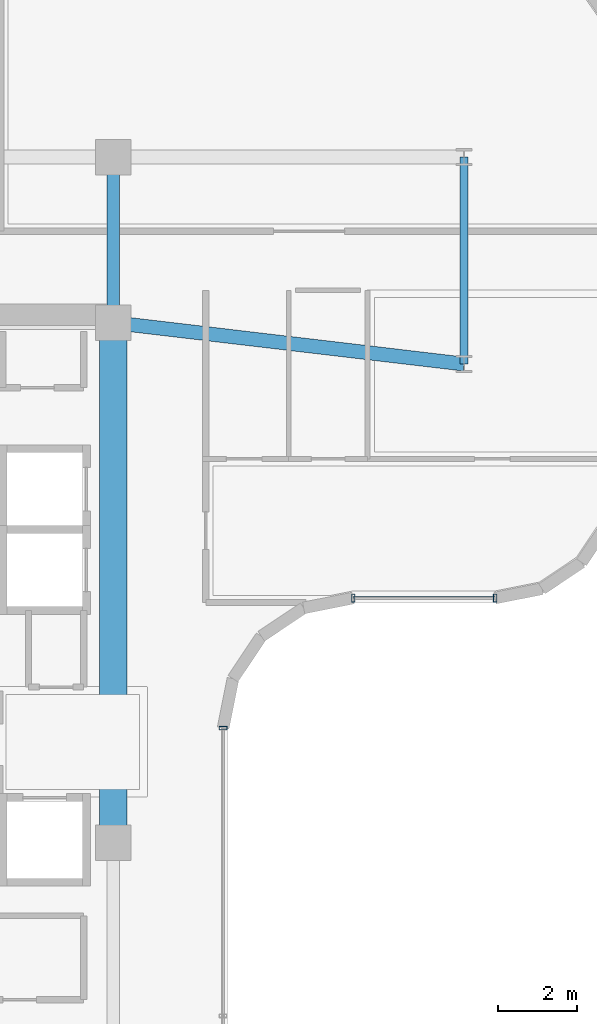
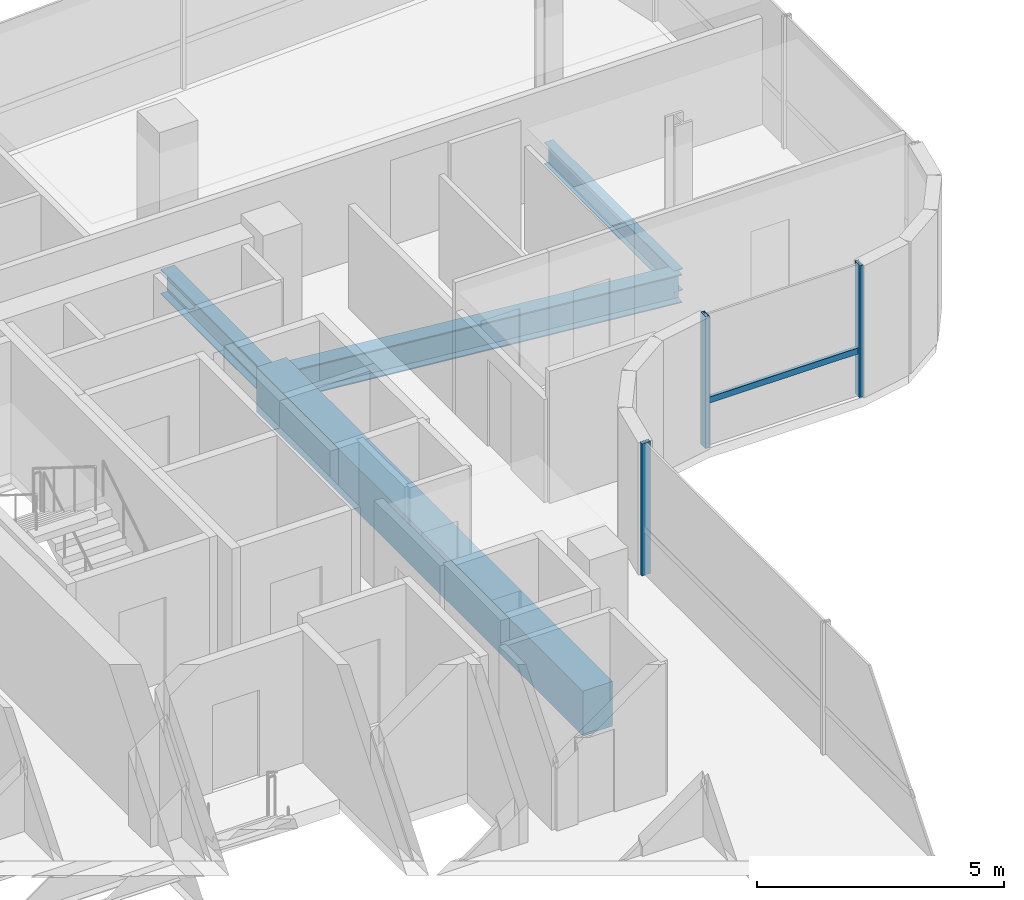
# One storey, part 9 of 22: 4 beams, 4 members, 2 elements without a shape of their own.
"""IFC4 building model written with IfcOpenShell, lengths in metres."""

from ifc_helpers import new_model, si_unit, direction, frame, origin, origin_2d, place, context, subcontext, project, spatial, rectangle, hollow_rectangle, i_section, extrude, source, transform, mapped, material, material_profile, profile_set, type_object, element, aggregate, save


model = new_model("IFC4")

# Units and contexts
model_context = context("Model", 3, precision=1e-05, world=origin(), true_north=direction((0.0, 1.0)))
body_context = subcontext(model_context, "Body", "Model", "MODEL_VIEW")
ifc_project = project(units=[si_unit("LENGTHUNIT", "METRE"), si_unit("AREAUNIT", "SQUARE_METRE"), si_unit("VOLUMEUNIT", "CUBIC_METRE"), si_unit("PLANEANGLEUNIT", "RADIAN"), si_unit("MASSUNIT", "GRAM", prefix="KILO")], contexts=[model_context])

# Site, building, storey
site_placement = place(None, origin())
site = spatial("IfcSite", under=ifc_project, at=site_placement, CompositionType="ELEMENT")
building_placement = place(site_placement, origin())
building = spatial("IfcBuilding", under=site, at=building_placement, Name="Valdorenza Pilgrim Sanctuary Tower", CompositionType="ELEMENT")
storey_placement = place(building_placement, frame((0.0, 0.0, 209.0)))
storey = spatial("IfcBuildingStorey", under=building, at=storey_placement, Name="L53", CompositionType="ELEMENT", Elevation=209.0)

# Beams
ifc_material_1 = material(Name="Concrete C50/60", Category="concrete")
ifc_material_profile_1 = material_profile(ifc_material_1, rectangle(XDim=0.699951171875, YDim=1.10009765625, at=origin_2d()), Name="RC 1100x700")
ifc_profile_set_1 = profile_set([ifc_material_profile_1], Name="Concrete C50/60")
beam_type_1 = type_object("IfcBeamType", Name="STR-BM-LNT-1100", PredefinedType="LINTEL", material=ifc_profile_set_1)
shared_shape_1 = source(origin(), body_context, "Body", "SweptSolid", [
    extrude(rectangle(XDim=0.699951171875, YDim=1.10009765625, at=origin_2d()), origin(), (0.0, 0.0, 1.0), 13.2001953125),
])
beam_1_placement = place(storey_placement, frame((-12.39990234375, -2.60009765625, -0.590087890625), z_axis=(0.0, 1.0, 0.0), x_axis=(-1.0, 0.0, 0.0)))
element("IfcBeam", 1, at=beam_1_placement, inside=storey, type_object=beam_type_1, Name="L53 Core A Coupling Lintel Girder", PredefinedType="LINTEL", context=body_context, shape_type="MappedRepresentation", body=[
    mapped(shared_shape_1, transform((0.0, 0.0, 0.0), x_axis=(1.0, 0.0, 0.0), y_axis=(0.0, 1.0, 0.0), z_axis=(0.0, 0.0, 1.0), scale=1.0)),
])
ifc_material_2 = material(Name="Steel ASTM A992 Grade 50", Category="steel")
ifc_material_profile_2 = material_profile(ifc_material_2, i_section(OverallWidth=0.323974609375, OverallDepth=0.611083984375, WebThickness=0.0126953125, FlangeThickness=0.01904296875, at=origin_2d()), Name="W24X104")
ifc_profile_set_2 = profile_set([ifc_material_profile_2], Name="Steel ASTM A992 Grade 50")
beam_type_2 = type_object("IfcBeamType", Name="STR-BM-GRD-W24B", PredefinedType="BEAM", material=ifc_profile_set_2)
shared_shape_2 = source(origin(), body_context, "Body", "SweptSolid", [
    extrude(i_section(OverallWidth=0.323974609375, OverallDepth=0.611083984375, WebThickness=0.0126953125, FlangeThickness=0.01904296875, at=origin_2d()), origin(), (0.0, 0.0, 1.0), 4.199951171875),
])
beam_2_placement = place(storey_placement, frame((-12.39990234375, 10.60009765625, -0.54541015625), z_axis=(0.0, 1.0, 0.0), x_axis=(-1.0, 0.0, 0.0)))
element("IfcBeam", 2, at=beam_2_placement, inside=storey, type_object=beam_type_2, Name="L53 Core Tie Girder CA-E-N1N2", PredefinedType="BEAM", context=body_context, shape_type="MappedRepresentation", body=[
    mapped(shared_shape_2, transform((0.0, 0.0, 0.0), x_axis=(1.0, 0.0, 0.0), y_axis=(0.0, 1.0, 0.0), z_axis=(0.0, 0.0, 1.0), scale=1.0)),
])
ifc_material_profile_3 = material_profile(ifc_material_2, i_section(OverallWidth=0.2109375, OverallDepth=0.5390625, WebThickness=0.01171875, FlangeThickness=0.018798828125, at=origin_2d()), Name="W21X73")
ifc_profile_set_3 = profile_set([ifc_material_profile_3], Name="Steel ASTM A992 Grade 50")
beam_type_3 = type_object("IfcBeamType", Name="STR-BM-SPN-W21B", PredefinedType="SPANDREL", material=ifc_profile_set_3)
shared_shape_3 = source(origin(), body_context, "Body", "SweptSolid", [
    extrude(i_section(OverallWidth=0.2109375, OverallDepth=0.5390625, WebThickness=0.01171875, FlangeThickness=0.018798828125, at=origin_2d()), origin(), (0.0, 0.0, 1.0), 5.25),
])
beam_3_placement = place(storey_placement, frame((-3.5, 9.550048828125, -0.509521484375), z_axis=(0.0, 1.0, 0.0), x_axis=(-1.0, 0.0, 0.0)))
element("IfcBeam", 3, at=beam_3_placement, inside=storey, type_object=beam_type_3, Name="L53 Floor Girder UWA-KTIE", PredefinedType="SPANDREL", context=body_context, shape_type="MappedRepresentation", body=[
    mapped(shared_shape_3, transform((0.0, 0.0, 0.0), x_axis=(1.0, 0.0, 0.0), y_axis=(0.0, 1.0, 0.0), z_axis=(0.0, 0.0, 1.0), scale=1.0)),
])
ifc_material_profile_4 = material_profile(ifc_material_2, i_section(OverallWidth=0.35595703125, OverallDepth=0.700927734375, WebThickness=0.016845703125, FlangeThickness=0.02734375, at=origin_2d()), Name="W27X161")
ifc_profile_set_4 = profile_set([ifc_material_profile_4], Name="Steel ASTM A992 Grade 50")
beam_type_4 = type_object("IfcBeamType", Name="STR-BM-GRD-W27", PredefinedType="BEAM", material=ifc_profile_set_4)
shared_shape_4 = source(origin(), body_context, "Body", "SweptSolid", [
    extrude(i_section(OverallWidth=0.35595703125, OverallDepth=0.700927734375, WebThickness=0.016845703125, FlangeThickness=0.02734375, at=origin_2d()), origin(), (0.0, 0.0, 1.0), 8.961669921875),
])
beam_4_placement = place(storey_placement, frame((-12.39990234375, 10.60009765625, -0.590576171875), z_axis=(0.993111684121, -0.117171595803, 0.0), x_axis=(0.117171595803, 0.993111684121, 0.0)))
element("IfcBeam", 4, at=beam_4_placement, inside=storey, type_object=beam_type_4, Name="L53 Floor Girder UWA-KG1", PredefinedType="BEAM", context=body_context, shape_type="MappedRepresentation", body=[
    mapped(shared_shape_4, transform((0.0, 0.0, 0.0), x_axis=(1.0, 0.0, 0.0), y_axis=(0.0, 1.0, 0.0), z_axis=(0.0, 0.0, 1.0), scale=1.0)),
])

# Curtain wall, members
ifc_material_3 = material(Name="Curtain-wall IGU glazing", Category="glass")
curtain_wall_type = type_object("IfcCurtainWallType", Name="CW-SYS-02", PredefinedType="NOTDEFINED", material=ifc_material_3)
curtain_wall_1_placement = place(storey_placement, origin())
curtain_wall_1 = element("IfcCurtainWall", 5, at=curtain_wall_1_placement, inside=storey, type_object=curtain_wall_type, Name="L53 Curtain Wall CW-L53-1-16", PredefinedType="NOTDEFINED")
ifc_material_4 = material(Name="Anodised aluminium AW-6060", Category="aluminium")
ifc_material_profile_5 = material_profile(ifc_material_4, hollow_rectangle(XDim=0.074951171875, YDim=0.14990234375, WallThickness=0.00390625, at=origin_2d()), Name="ALU-T 150x75x4")
ifc_profile_set_5 = profile_set([ifc_material_profile_5], Name="Anodised aluminium AW-6060")
member_type_1 = type_object("IfcMemberType", Name="CW-TRN-02", PredefinedType="USERDEFINED", material=ifc_profile_set_5)
shared_shape_5 = source(origin(), body_context, "Body", "SweptSolid", [
    extrude(hollow_rectangle(XDim=0.074951171875, YDim=0.14990234375, WallThickness=0.00390625, at=origin_2d()), origin(), (0.0, 0.0, 1.0), 3.60009765625),
])
member_1_placement = place(storey_placement, frame((-2.710693359375, 3.610107421875, 1.1201171875), z_axis=(-1.0, 0.0, 0.0), x_axis=(0.0, -1.0, 0.0)))
member_1 = element("IfcMember", 6, at=member_1_placement, type_object=member_type_1, Name="CW-L53-1-16 Transom 1", ObjectType="TRANSOM", PredefinedType="USERDEFINED", context=body_context, shape_type="MappedRepresentation", body=[
    mapped(shared_shape_5, transform((0.0, 0.0, 0.0), x_axis=(1.0, 0.0, 0.0), y_axis=(0.0, 1.0, 0.0), z_axis=(0.0, 0.0, 1.0), scale=1.0)),
])
ifc_material_profile_6 = material_profile(ifc_material_4, hollow_rectangle(XDim=0.0849609375, YDim=0.199951171875, WallThickness=0.0048828125, at=origin_2d()), Name="ALU-M 200x85x5")
ifc_profile_set_6 = profile_set([ifc_material_profile_6], Name="Anodised aluminium AW-6060")
member_type_2 = type_object("IfcMemberType", Name="CW-MUL-02", PredefinedType="MULLION", material=ifc_profile_set_6)
shared_shape_6 = source(origin(), body_context, "Body", "SweptSolid", [
    extrude(hollow_rectangle(XDim=0.0849609375, YDim=0.199951171875, WallThickness=0.0048828125, at=origin_2d()), origin(), (0.0, 0.0, 1.0), 3.260009765625),
])
member_2_placement = place(storey_placement, frame((-2.710693359375, 3.610107421875, 0.0), z_axis=(0.0, 0.0, 1.0), x_axis=(-1.0, 0.0, 0.0)))
member_2 = element("IfcMember", 7, at=member_2_placement, type_object=member_type_2, Name="CW-L53-1-16 Mullion 1", PredefinedType="MULLION", context=body_context, shape_type="MappedRepresentation", body=[
    mapped(shared_shape_6, transform((0.0, 0.0, 0.0), x_axis=(1.0, 0.0, 0.0), y_axis=(0.0, 1.0, 0.0), z_axis=(0.0, 0.0, 1.0), scale=1.0)),
])
member_3_placement = place(storey_placement, frame((-6.310791015625, 3.610107421875, 0.0), z_axis=(0.0, 0.0, 1.0), x_axis=(-1.0, 0.0, 0.0)))
member_3 = element("IfcMember", 8, at=member_3_placement, type_object=member_type_2, Name="CW-L53-1-16 Mullion 2", PredefinedType="MULLION", context=body_context, shape_type="MappedRepresentation", body=[
    mapped(shared_shape_6, transform((0.0, 0.0, 0.0), x_axis=(1.0, 0.0, 0.0), y_axis=(0.0, 1.0, 0.0), z_axis=(0.0, 0.0, 1.0), scale=1.0)),
])
aggregate(curtain_wall_1, [member_2, member_3, member_1])

# Curtain wall, member
curtain_wall_2_placement = place(storey_placement, origin())
curtain_wall_2 = element("IfcCurtainWall", 9, at=curtain_wall_2_placement, inside=storey, type_object=curtain_wall_type, Name="L53 Curtain Wall CW-L53-1-21", PredefinedType="NOTDEFINED")
member_4_placement = place(storey_placement, frame((-9.610107421875, 0.310791015625, 0.0), z_axis=(0.0, 0.0, 1.0), x_axis=(0.0, -1.0, 0.0)))
member_4 = element("IfcMember", 10, at=member_4_placement, type_object=member_type_2, Name="CW-L53-1-21 Mullion 1", PredefinedType="MULLION", context=body_context, shape_type="MappedRepresentation", body=[
    mapped(shared_shape_6, transform((0.0, 0.0, 0.0), x_axis=(1.0, 0.0, 0.0), y_axis=(0.0, 1.0, 0.0), z_axis=(0.0, 0.0, 1.0), scale=1.0)),
])
aggregate(curtain_wall_2, [member_4])

save(model, "model.ifc")
